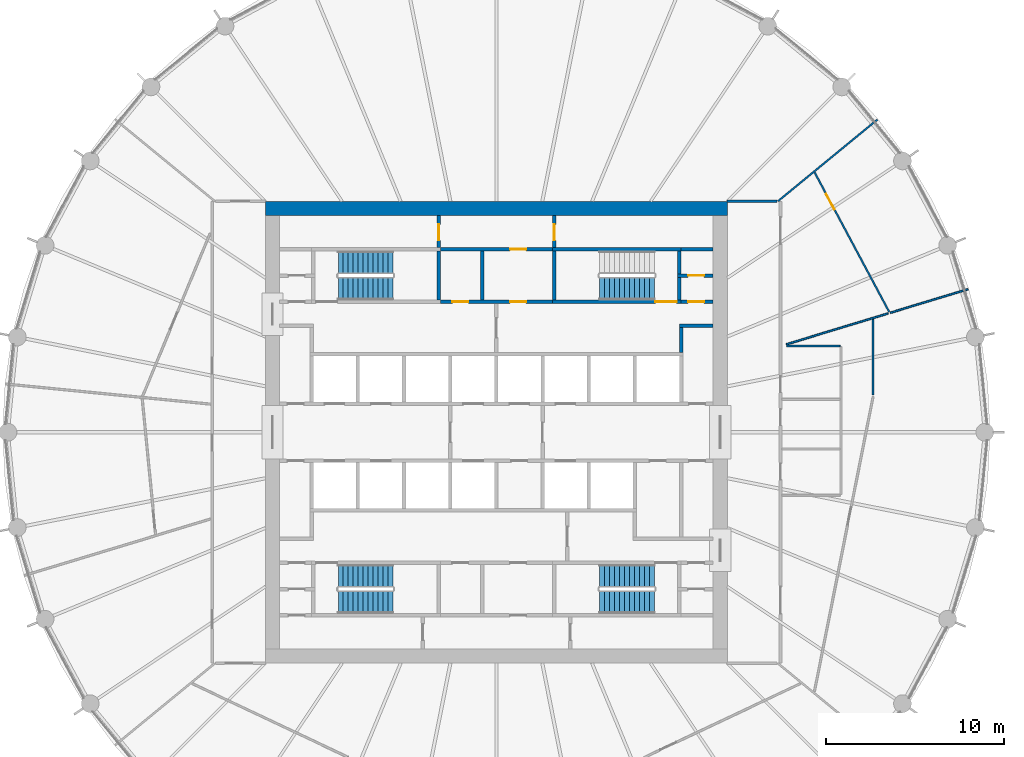
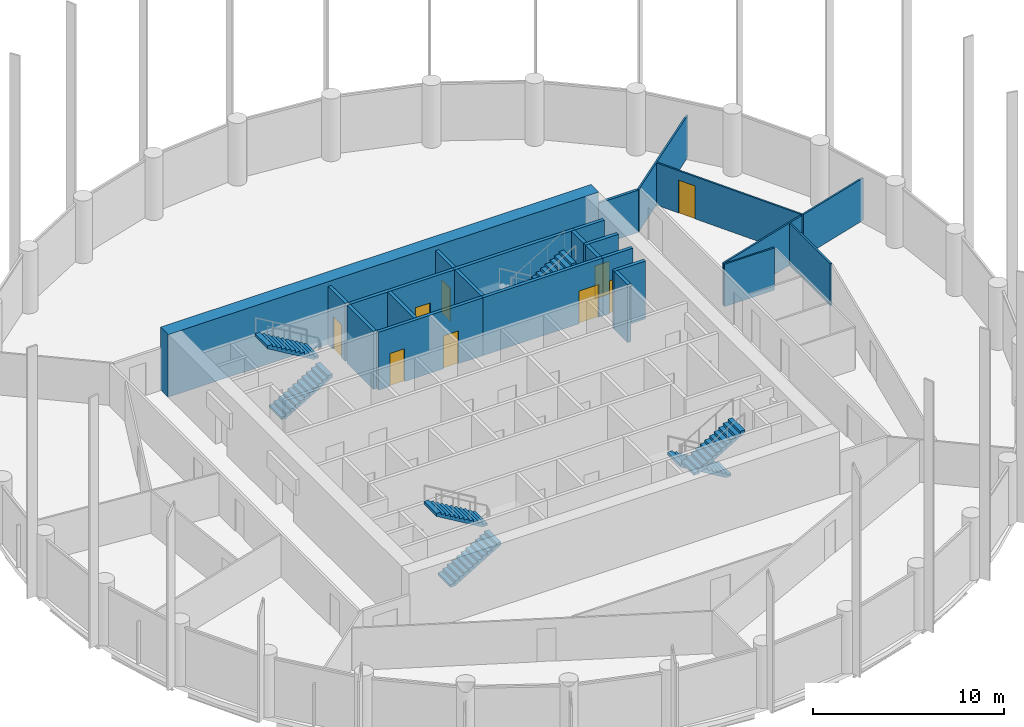
# One storey, part 7 of 9: 24 walls, 9 doors, 7 stair flights, 9 openings, 4 elements without a shape of their own.
"""IFC4 building model written with IfcOpenShell, lengths in metres."""

from ifc_helpers import new_model, si_unit, direction, frame, frame_2d, origin, place, context, subcontext, project, spatial, polyline, rectangle, outline, extrude, material, layer, layer_set, type_object, element, fill, aggregate, save


model = new_model("IFC4")

# Units and contexts
model_context = context("Model", 3, precision=1e-05, world=origin(), true_north=direction((0.0, 1.0)))
body_context = subcontext(model_context, "Body", "Model", "MODEL_VIEW")
ifc_project = project(units=[si_unit("LENGTHUNIT", "METRE"), si_unit("AREAUNIT", "SQUARE_METRE"), si_unit("VOLUMEUNIT", "CUBIC_METRE"), si_unit("PLANEANGLEUNIT", "RADIAN"), si_unit("MASSUNIT", "GRAM", prefix="KILO")], contexts=[model_context])

# Site, building, storey
site_placement = place(None, origin())
site = spatial("IfcSite", under=ifc_project, at=site_placement, CompositionType="ELEMENT")
building_placement = place(site_placement, origin())
building = spatial("IfcBuilding", under=site, at=building_placement, Name="Corvane Civic Tower", CompositionType="ELEMENT")
storey_placement = place(building_placement, frame((0.0, 0.0, 217.5)))
storey = spatial("IfcBuildingStorey", under=building, at=storey_placement, Name="L51", CompositionType="ELEMENT", Elevation=217.5)

# Wall
ifc_material_1 = material(Name="Concrete C50/60", Category="concrete")
ifc_layer_1 = layer(ifc_material_1, 0.800048828125)
ifc_layer_set_1 = layer_set([ifc_layer_1], Name="Concrete C50/60")
wall_type_1 = type_object("IfcWallType", Name="CORE WALL 800 C50/60", PredefinedType="SHEAR", material=ifc_layer_set_1)
wall_1_placement = place(storey_placement, frame((-13.0, 12.60009765625, 0.0), z_axis=(0.0, 0.0, 1.0), x_axis=(1.0, 0.0, 0.0)))
element("IfcWall", 1, at=wall_1_placement, inside=storey, type_object=wall_type_1, Name="W-L51-core-N", PredefinedType="SHEAR", context=body_context, shape_type="SweptSolid", body=[
    extrude(rectangle(XDim=26.0, YDim=0.800048828125, at=frame_2d((13.0, 0.0))), origin(), (0.0, 0.0, 1.0), 4.0),
])

# Wall, openings, doors
ifc_material_2 = material(Name="Concrete C30/37", Category="concrete")
ifc_layer_2 = layer(ifc_material_2, 0.199951171875)
ifc_layer_set_2 = layer_set([ifc_layer_2], Name="Concrete C30/37")
wall_type_2 = type_object("IfcWallType", Name="CR-WALL-200", PredefinedType="PARTITIONING", material=ifc_layer_set_2)
wall_2_placement = place(storey_placement, frame((-3.14990234375, 7.35009765625, 0.0), z_axis=(0.0, 0.0, 1.0), x_axis=(1.0, 0.0, 0.0)))
wall_2 = element("IfcWall", 2, at=wall_2_placement, inside=storey, type_object=wall_type_2, Name="L51 partition wall", PredefinedType="PARTITIONING", context=body_context, shape_type="SweptSolid", body=[
    extrude(rectangle(XDim=6.2998046875, YDim=0.199951171875, at=frame_2d((3.14990234375, 0.0))), origin(), (0.0, 0.0, 1.0), 3.699951171875),
])
opening_1_placement = place(wall_2_placement, frame((0.675048828125, 0.0, 0.0)))
opening_1 = element("IfcOpeningElement", 3, at=opening_1_placement, cuts=wall_2, Name="Opening L51.C07", PredefinedType="OPENING", context=body_context, shape_type="SweptSolid", body=[
    extrude(rectangle(XDim=0.89990234375, YDim=2.10009765625, at=frame_2d((0.449951171875, 1.050048828125))), frame((0.0, 0.10986328125, 0.0), z_axis=(0.0, -1.0, 0.0), x_axis=(1.0, 0.0, 0.0)), (0.0, 0.0, 1.0), 0.219970703125),
])
opening_2_placement = place(wall_2_placement, frame((3.925048828125, 0.0, 0.0)))
opening_2 = element("IfcOpeningElement", 4, at=opening_2_placement, cuts=wall_2, Name="Opening L51.C08", PredefinedType="OPENING", context=body_context, shape_type="SweptSolid", body=[
    extrude(rectangle(XDim=0.89990234375, YDim=2.10009765625, at=frame_2d((0.449951171875, 1.050048828125))), frame((0.0, 0.10986328125, 0.0), z_axis=(0.0, -1.0, 0.0), x_axis=(1.0, 0.0, 0.0)), (0.0, 0.0, 1.0), 0.219970703125),
])
ifc_material_3 = material(Name="Steel fire door leaf", Category="steel")
door_type_1 = type_object("IfcDoorType", Name="CR-DOOR-900", OperationType="SINGLE_SWING_LEFT", PredefinedType="DOOR", material=ifc_material_3)
door_1_placement = place(opening_1_placement, origin())
door_1 = element("IfcDoor", 5, at=door_1_placement, inside=storey, type_object=door_type_1, Name="L51 door", OperationType="SINGLE_SWING_LEFT", OverallHeight=2.10009765625, OverallWidth=0.89990234375, PredefinedType="DOOR", context=body_context, shape_type="SweptSolid", body=[
    extrude(rectangle(XDim=0.89990234375, YDim=2.10009765625, at=frame_2d((0.449951171875, 1.050048828125))), frame((0.0, 0.02490234375, 0.0), z_axis=(0.0, -1.0, 0.0), x_axis=(1.0, 0.0, 0.0)), (0.0, 0.0, 1.0), 0.050048828125),
])
fill(opening_1, door_1)
door_2_placement = place(opening_2_placement, origin())
door_2 = element("IfcDoor", 6, at=door_2_placement, inside=storey, type_object=door_type_1, Name="L51 door", OperationType="SINGLE_SWING_LEFT", OverallHeight=2.10009765625, OverallWidth=0.89990234375, PredefinedType="DOOR", context=body_context, shape_type="SweptSolid", body=[
    extrude(rectangle(XDim=0.89990234375, YDim=2.10009765625, at=frame_2d((0.449951171875, 1.050048828125))), frame((0.0, 0.02490234375, 0.0), z_axis=(0.0, -1.0, 0.0), x_axis=(1.0, 0.0, 0.0)), (0.0, 0.0, 1.0), 0.050048828125),
])
fill(opening_2, door_2)

# Wall, opening, door
wall_3_placement = place(storey_placement, frame((10.39990234375, 7.35009765625, 0.0), z_axis=(0.0, 0.0, 1.0), x_axis=(1.0, 0.0, 0.0)))
wall_3 = element("IfcWall", 7, at=wall_3_placement, inside=storey, type_object=wall_type_2, Name="L51 core partition wall", PredefinedType="PARTITIONING", context=body_context, shape_type="SweptSolid", body=[
    extrude(rectangle(XDim=1.800048828125, YDim=0.199951171875, at=frame_2d((0.89990234375, 0.0))), origin(), (0.0, 0.0, 1.0), 3.699951171875),
])
opening_3_placement = place(wall_3_placement, frame((0.39990234375, 0.0, 0.0)))
opening_3 = element("IfcOpeningElement", 8, at=opening_3_placement, cuts=wall_3, Name="Opening L51.C22", PredefinedType="OPENING", context=body_context, shape_type="SweptSolid", body=[
    extrude(rectangle(XDim=0.89990234375, YDim=2.10009765625, at=frame_2d((0.449951171875, 1.050048828125))), frame((0.0, 0.10986328125, 0.0), z_axis=(0.0, -1.0, 0.0), x_axis=(1.0, 0.0, 0.0)), (0.0, 0.0, 1.0), 0.219970703125),
])
door_3_placement = place(opening_3_placement, origin())
door_3 = element("IfcDoor", 9, at=door_3_placement, inside=storey, type_object=door_type_1, Name="L51 door", OperationType="SINGLE_SWING_LEFT", OverallHeight=2.10009765625, OverallWidth=0.89990234375, PredefinedType="DOOR", context=body_context, shape_type="SweptSolid", body=[
    extrude(rectangle(XDim=0.89990234375, YDim=2.10009765625, at=frame_2d((0.449951171875, 1.050048828125))), frame((0.0, 0.02490234375, 0.0), z_axis=(0.0, -1.0, 0.0), x_axis=(1.0, 0.0, 0.0)), (0.0, 0.0, 1.0), 0.050048828125),
])
fill(opening_3, door_3)

wall_4_placement = place(storey_placement, frame((10.199951171875, 8.824951171875, 0.0), z_axis=(0.0, 0.0, 1.0), x_axis=(1.0, 0.0, 0.0)))
wall_4 = element("IfcWall", 10, at=wall_4_placement, inside=storey, type_object=wall_type_2, Name="L51 partition wall", PredefinedType="PARTITIONING", context=body_context, shape_type="SweptSolid", body=[
    extrude(rectangle(XDim=2.0, YDim=0.199951171875, at=frame_2d((1.0, 0.0))), origin(), (0.0, 0.0, 1.0), 3.699951171875),
])
opening_4_placement = place(wall_4_placement, frame((0.60009765625, 0.0, 0.0)))
opening_4 = element("IfcOpeningElement", 11, at=opening_4_placement, cuts=wall_4, Name="Opening L51.C23", PredefinedType="OPENING", context=body_context, shape_type="SweptSolid", body=[
    extrude(rectangle(XDim=0.89990234375, YDim=2.10009765625, at=frame_2d((0.449951171875, 1.050048828125))), frame((0.0, 0.10986328125, 0.0), z_axis=(0.0, -1.0, 0.0), x_axis=(1.0, 0.0, 0.0)), (0.0, 0.0, 1.0), 0.219970703125),
])
door_4_placement = place(opening_4_placement, origin())
door_4 = element("IfcDoor", 12, at=door_4_placement, inside=storey, type_object=door_type_1, Name="L51 door", OperationType="SINGLE_SWING_LEFT", OverallHeight=2.10009765625, OverallWidth=0.89990234375, PredefinedType="DOOR", context=body_context, shape_type="SweptSolid", body=[
    extrude(rectangle(XDim=0.89990234375, YDim=2.10009765625, at=frame_2d((0.449951171875, 1.050048828125))), frame((0.0, 0.02490234375, 0.0), z_axis=(0.0, -1.0, 0.0), x_axis=(1.0, 0.0, 0.0)), (0.0, 0.0, 1.0), 0.050048828125),
])
fill(opening_4, door_4)

wall_5_placement = place(storey_placement, frame((-3.14990234375, 10.300048828125, 0.0), z_axis=(0.0, 0.0, 1.0), x_axis=(1.0, 0.0, 0.0)))
wall_5 = element("IfcWall", 13, at=wall_5_placement, inside=storey, type_object=wall_type_2, Name="L51 partition wall", PredefinedType="PARTITIONING", context=body_context, shape_type="SweptSolid", body=[
    extrude(rectangle(XDim=6.2998046875, YDim=0.199951171875, at=frame_2d((3.14990234375, 0.0))), origin(), (0.0, 0.0, 1.0), 3.699951171875),
])
opening_5_placement = place(wall_5_placement, frame((3.925048828125, 0.0, 0.0)))
opening_5 = element("IfcOpeningElement", 14, at=opening_5_placement, cuts=wall_5, Name="Opening L51.C12", PredefinedType="OPENING", context=body_context, shape_type="SweptSolid", body=[
    extrude(rectangle(XDim=0.89990234375, YDim=2.10009765625, at=frame_2d((0.449951171875, 1.050048828125))), frame((0.0, 0.10986328125, 0.0), z_axis=(0.0, -1.0, 0.0), x_axis=(1.0, 0.0, 0.0)), (0.0, 0.0, 1.0), 0.219970703125),
])
door_5_placement = place(opening_5_placement, origin())
door_5 = element("IfcDoor", 15, at=door_5_placement, inside=storey, type_object=door_type_1, Name="L51 door", OperationType="SINGLE_SWING_LEFT", OverallHeight=2.10009765625, OverallWidth=0.89990234375, PredefinedType="DOOR", context=body_context, shape_type="SweptSolid", body=[
    extrude(rectangle(XDim=0.89990234375, YDim=2.10009765625, at=frame_2d((0.449951171875, 1.050048828125))), frame((0.0, 0.02490234375, 0.0), z_axis=(0.0, -1.0, 0.0), x_axis=(1.0, 0.0, 0.0)), (0.0, 0.0, 1.0), 0.050048828125),
])
fill(opening_5, door_5)

wall_6_placement = place(storey_placement, frame((-3.25, 10.39990234375, 0.0), z_axis=(0.0, 0.0, 1.0), x_axis=(0.0, 1.0, 0.0)))
wall_6 = element("IfcWall", 16, at=wall_6_placement, inside=storey, type_object=wall_type_2, Name="L51 partition wall", PredefinedType="PARTITIONING", context=body_context, shape_type="SweptSolid", body=[
    extrude(rectangle(XDim=1.800048828125, YDim=0.199951171875, at=frame_2d((0.89990234375, 0.0))), origin(), (0.0, 0.0, 1.0), 3.699951171875),
])
opening_6_placement = place(wall_6_placement, frame((0.39990234375, 0.0, 0.0)))
opening_6 = element("IfcOpeningElement", 17, at=opening_6_placement, cuts=wall_6, Name="Opening L51.C11", PredefinedType="OPENING", context=body_context, shape_type="SweptSolid", body=[
    extrude(rectangle(XDim=0.89990234375, YDim=2.10009765625, at=frame_2d((0.449951171875, 1.050048828125))), frame((0.0, 0.10986328125, 0.0), z_axis=(0.0, -1.0, 0.0), x_axis=(1.0, 0.0, 0.0)), (0.0, 0.0, 1.0), 0.219970703125),
])
door_6_placement = place(opening_6_placement, origin())
door_6 = element("IfcDoor", 18, at=door_6_placement, inside=storey, type_object=door_type_1, Name="L51 door", OperationType="SINGLE_SWING_LEFT", OverallHeight=2.10009765625, OverallWidth=0.89990234375, PredefinedType="DOOR", context=body_context, shape_type="SweptSolid", body=[
    extrude(rectangle(XDim=0.89990234375, YDim=2.10009765625, at=frame_2d((0.449951171875, 1.050048828125))), frame((0.0, 0.02490234375, 0.0), z_axis=(0.0, -1.0, 0.0), x_axis=(1.0, 0.0, 0.0)), (0.0, 0.0, 1.0), 0.050048828125),
])
fill(opening_6, door_6)

wall_7_placement = place(storey_placement, frame((3.25, 10.39990234375, 0.0), z_axis=(0.0, 0.0, 1.0), x_axis=(0.0, 1.0, 0.0)))
wall_7 = element("IfcWall", 19, at=wall_7_placement, inside=storey, type_object=wall_type_2, Name="L51 partition wall", PredefinedType="PARTITIONING", context=body_context, shape_type="SweptSolid", body=[
    extrude(rectangle(XDim=1.800048828125, YDim=0.199951171875, at=frame_2d((0.89990234375, 0.0))), origin(), (0.0, 0.0, 1.0), 3.699951171875),
])
opening_7_placement = place(wall_7_placement, frame((0.39990234375, 0.0, 0.0)))
opening_7 = element("IfcOpeningElement", 20, at=opening_7_placement, cuts=wall_7, Name="Opening L51.C13", PredefinedType="OPENING", context=body_context, shape_type="SweptSolid", body=[
    extrude(rectangle(XDim=0.89990234375, YDim=2.10009765625, at=frame_2d((0.449951171875, 1.050048828125))), frame((0.0, 0.10986328125, 0.0), z_axis=(0.0, -1.0, 0.0), x_axis=(1.0, 0.0, 0.0)), (0.0, 0.0, 1.0), 0.219970703125),
])
door_7_placement = place(opening_7_placement, origin())
door_7 = element("IfcDoor", 21, at=door_7_placement, inside=storey, type_object=door_type_1, Name="L51 door", OperationType="SINGLE_SWING_LEFT", OverallHeight=2.10009765625, OverallWidth=0.89990234375, PredefinedType="DOOR", context=body_context, shape_type="SweptSolid", body=[
    extrude(rectangle(XDim=0.89990234375, YDim=2.10009765625, at=frame_2d((0.449951171875, 1.050048828125))), frame((0.0, 0.02490234375, 0.0), z_axis=(0.0, -1.0, 0.0), x_axis=(1.0, 0.0, 0.0)), (0.0, 0.0, 1.0), 0.050048828125),
])
fill(opening_7, door_7)

# Walls
wall_8_placement = place(storey_placement, origin())
element("IfcWall", 22, at=wall_8_placement, inside=storey, type_object=wall_type_2, Name="L51 core partition wall", PredefinedType="PARTITIONING", context=body_context, shape_type="SweptSolid", body=[
    extrude(outline(polyline([(12.199951171875, 5.89990234375), (10.300048828125, 5.89990234375), (10.300048828125, 6.10009765625), (12.199951171875, 6.10009765625), (12.199951171875, 5.89990234375)])), origin(), (0.0, 0.0, 1.0), 3.699951171875),
])
wall_9_placement = place(storey_placement, origin())
element("IfcWall", 23, at=wall_9_placement, inside=storey, type_object=wall_type_2, Name="L51 core partition wall", PredefinedType="PARTITIONING", context=body_context, shape_type="SweptSolid", body=[
    extrude(outline(polyline([(10.5, 4.5), (10.300048828125, 4.5), (10.300048828125, 5.89990234375), (10.5, 5.89990234375), (10.5, 4.5)])), origin(), (0.0, 0.0, 1.0), 3.699951171875),
])
wall_10_placement = place(storey_placement, origin())
element("IfcWall", 24, at=wall_10_placement, inside=storey, type_object=wall_type_2, Name="L51 core partition wall", PredefinedType="PARTITIONING", context=body_context, shape_type="SweptSolid", body=[
    extrude(outline(polyline([(-0.699951171875, 7.449951171875), (-0.89990234375, 7.449951171875), (-0.89990234375, 10.199951171875), (-0.699951171875, 10.199951171875), (-0.699951171875, 7.449951171875)])), origin(), (0.0, 0.0, 1.0), 3.699951171875),
])
wall_11_placement = place(storey_placement, origin())
element("IfcWall", 25, at=wall_11_placement, inside=storey, type_object=wall_type_2, Name="L51 core partition wall", PredefinedType="PARTITIONING", context=body_context, shape_type="SweptSolid", body=[
    extrude(outline(polyline([(10.39990234375, 10.199951171875), (10.39990234375, 10.39990234375), (12.199951171875, 10.39990234375), (12.199951171875, 10.199951171875), (10.39990234375, 10.199951171875)])), origin(), (0.0, 0.0, 1.0), 3.699951171875),
])
ifc_material_4 = material(Name="Plasterboard")
ifc_layer_3 = layer(ifc_material_4, 0.10009765625)
ifc_layer_set_3 = layer_set([ifc_layer_3], Name="Plasterboard")
wall_type_3 = type_object("IfcWallType", Name="Partition 100 plasterboard on studs", PredefinedType="PARTITIONING", material=ifc_layer_set_3)
wall_12_placement = place(storey_placement, frame((21.199951171875, 2.103515625, 0.0), z_axis=(0.0, 0.0, 1.0), x_axis=(0.0, 1.0, 0.0)))
element("IfcWall", 26, at=wall_12_placement, inside=storey, type_object=wall_type_3, Name="Partition L51.020", PredefinedType="PARTITIONING", context=body_context, shape_type="SweptSolid", body=[
    extrude(rectangle(XDim=4.260009765625, YDim=0.10009765625, at=frame_2d((2.1298828125, 0.0))), origin(), (0.0, 0.0, 1.0), 2.699951171875),
])
wall_13_placement = place(storey_placement, frame((16.337158203125, 4.853515625, 0.0), z_axis=(0.0, 0.0, 1.0), x_axis=(1.0, 0.0, 0.0)))
element("IfcWall", 27, at=wall_13_placement, inside=storey, type_object=wall_type_3, Name="Partition L51.021", PredefinedType="PARTITIONING", context=body_context, shape_type="SweptSolid", body=[
    extrude(rectangle(XDim=3.012939453125, YDim=0.10009765625, at=frame_2d((1.50634765625, 0.0))), origin(), (0.0, 0.0, 1.0), 2.699951171875),
])
wall_14_placement = place(storey_placement, frame((16.325927734375, 4.952392578125, 0.0), z_axis=(0.0, 0.0, 1.0), x_axis=(0.956943355417, 0.2902747225, 0.0)))
element("IfcWall", 28, at=wall_14_placement, inside=storey, type_object=wall_type_3, Name="Partition L51.022", PredefinedType="PARTITIONING", context=body_context, shape_type="SweptSolid", body=[
    extrude(rectangle(XDim=5.981689453125, YDim=0.10009765625, at=frame_2d((2.99072265625, 0.0))), origin(), (0.0, 0.0, 1.0), 2.699951171875),
])
wall_15_placement = place(storey_placement, frame((22.177490234375, 6.7275390625, 0.0), z_axis=(0.0, 0.0, 1.0), x_axis=(0.95694941846, 0.290254733828, 0.0)))
element("IfcWall", 29, at=wall_15_placement, inside=storey, type_object=wall_type_3, Name="Partition L51.023", PredefinedType="PARTITIONING", context=body_context, shape_type="SweptSolid", body=[
    extrude(rectangle(XDim=4.574951171875, YDim=0.10009765625, at=frame_2d((2.28759765625, 0.0))), origin(), (0.0, 0.0, 1.0), 2.699951171875),
])

# Wall, opening, door
wall_16_placement = place(storey_placement, frame((17.919921875, 14.629150390625, 0.0), z_axis=(0.0, 0.0, 1.0), x_axis=(0.471383151243, -0.881928525859, 0.0)))
wall_16 = element("IfcWall", 30, at=wall_16_placement, inside=storey, type_object=wall_type_3, Name="Partition L51.024", PredefinedType="PARTITIONING", context=body_context, shape_type="SweptSolid", body=[
    extrude(rectangle(XDim=8.90869140625, YDim=0.10009765625, at=frame_2d((4.454345703125, 0.0))), origin(), (0.0, 0.0, 1.0), 2.699951171875),
])
opening_8_placement = place(wall_16_placement, frame((1.368408203125, 0.0, 0.0)))
opening_8 = element("IfcOpeningElement", 31, at=opening_8_placement, cuts=wall_16, Name="Opening L51.006", PredefinedType="OPENING", context=body_context, shape_type="SweptSolid", body=[
    extrude(rectangle(XDim=1.0, YDim=2.10009765625, at=frame_2d((0.5, 1.050048828125))), frame((0.0, 0.06005859375, 0.0), z_axis=(0.0, -1.0, 0.0), x_axis=(1.0, 0.0, 0.0)), (0.0, 0.0, 1.0), 0.1201171875),
])
ifc_material_5 = material(Name="Timber", Category="wood")
door_type_2 = type_object("IfcDoorType", Name="Single door 1000", OperationType="NOTDEFINED", PredefinedType="DOOR", material=ifc_material_5)
door_8_placement = place(opening_8_placement, origin())
door_8 = element("IfcDoor", 32, at=door_8_placement, inside=storey, type_object=door_type_2, Name="Door L51.006", OperationType="SINGLE_SWING_RIGHT", OverallHeight=2.10009765625, OverallWidth=1.0, PredefinedType="DOOR", context=body_context, shape_type="SweptSolid", body=[
    extrude(rectangle(XDim=1.0, YDim=2.10009765625, at=frame_2d((0.5, 1.050048828125))), frame((0.0, 0.02490234375, 0.0), z_axis=(0.0, -1.0, 0.0), x_axis=(1.0, 0.0, 0.0)), (0.0, 0.0, 1.0), 0.050048828125),
])
fill(opening_8, door_8)

# Wall
wall_17_placement = place(storey_placement, frame((15.8544921875, 13.01123046875, 0.0), z_axis=(0.0, 0.0, 1.0), x_axis=(0.772997895748, 0.634408585352, 0.0)))
element("IfcWall", 33, at=wall_17_placement, inside=storey, type_object=wall_type_3, Name="Partition L51.028", PredefinedType="PARTITIONING", context=body_context, shape_type="SweptSolid", body=[
    extrude(rectangle(XDim=7.240234375, YDim=0.10009765625, at=frame_2d((3.6201171875, 0.0))), origin(), (0.0, 0.0, 1.0), 2.699951171875),
])

# Wall, opening, door
ifc_material_6 = material(Name="Concrete C50/60", Category="concrete")
ifc_layer_4 = layer(ifc_material_6, 0.199951171875)
ifc_layer_set_4 = layer_set([ifc_layer_4], Name="Concrete C50/60")
wall_type_4 = type_object("IfcWallType", Name="ST-WALL-200", PredefinedType="SHEAR", material=ifc_layer_set_4)
wall_18_placement = place(storey_placement, frame((3.14990234375, 7.35009765625, 0.0), z_axis=(0.0, 0.0, 1.0), x_axis=(1.0, 0.0, 0.0)))
wall_18 = element("IfcWall", 34, at=wall_18_placement, inside=storey, type_object=wall_type_4, Name="L51 stair enclosure wall", PredefinedType="SHEAR", context=body_context, shape_type="SweptSolid", body=[
    extrude(rectangle(XDim=7.25, YDim=0.199951171875, at=frame_2d((3.625, 0.0))), origin(), (0.0, 0.0, 1.0), 3.699951171875),
])
opening_9_placement = place(wall_18_placement, frame((5.800048828125, 0.0, 0.0)))
opening_9 = element("IfcOpeningElement", 35, at=opening_9_placement, cuts=wall_18, Name="Opening L51.C26", PredefinedType="OPENING", context=body_context, shape_type="SweptSolid", body=[
    extrude(rectangle(XDim=1.199951171875, YDim=2.10009765625, at=frame_2d((0.60009765625, 1.050048828125))), frame((0.0, 0.10986328125, 0.0), z_axis=(0.0, -1.0, 0.0), x_axis=(1.0, 0.0, 0.0)), (0.0, 0.0, 1.0), 0.219970703125),
])
ifc_material_7 = material(Name="Steel fire door leaf", Category="steel")
door_type_3 = type_object("IfcDoorType", Name="ST-DOOR-1200", OperationType="SINGLE_SWING_RIGHT", PredefinedType="DOOR", material=ifc_material_7)
door_9_placement = place(opening_9_placement, origin())
door_9 = element("IfcDoor", 36, at=door_9_placement, inside=storey, type_object=door_type_3, Name="L51 stair door", OperationType="SINGLE_SWING_RIGHT", OverallHeight=2.10009765625, OverallWidth=1.199951171875, PredefinedType="DOOR", context=body_context, shape_type="SweptSolid", body=[
    extrude(rectangle(XDim=1.199951171875, YDim=2.10009765625, at=frame_2d((0.60009765625, 1.050048828125))), frame((0.0, 0.02490234375, 0.0), z_axis=(0.0, -1.0, 0.0), x_axis=(1.0, 0.0, 0.0)), (0.0, 0.0, 1.0), 0.050048828125),
])
fill(opening_9, door_9)

# Walls
wall_19_placement = place(storey_placement, origin())
element("IfcWall", 37, at=wall_19_placement, inside=storey, type_object=wall_type_4, Name="L51 stair enclosure wall", PredefinedType="SHEAR", context=body_context, shape_type="SweptSolid", body=[
    extrude(outline(polyline([(10.39990234375, 10.199951171875), (3.14990234375, 10.199951171875), (3.14990234375, 10.39990234375), (10.39990234375, 10.39990234375), (10.39990234375, 10.199951171875)])), origin(), (0.0, 0.0, 1.0), 3.699951171875),
])
wall_20_placement = place(storey_placement, origin())
element("IfcWall", 38, at=wall_20_placement, inside=storey, type_object=wall_type_4, Name="L51 stair enclosure wall", PredefinedType="SHEAR", context=body_context, shape_type="SweptSolid", body=[
    extrude(outline(polyline([(-3.14990234375, 7.449951171875), (-3.35009765625, 7.449951171875), (-3.35009765625, 10.199951171875), (-3.14990234375, 10.199951171875), (-3.14990234375, 7.449951171875)])), origin(), (0.0, 0.0, 1.0), 3.699951171875),
])
wall_21_placement = place(storey_placement, origin())
element("IfcWall", 39, at=wall_21_placement, inside=storey, type_object=wall_type_4, Name="L51 stair enclosure wall", PredefinedType="SHEAR", context=body_context, shape_type="SweptSolid", body=[
    extrude(outline(polyline([(3.35009765625, 7.449951171875), (3.14990234375, 7.449951171875), (3.14990234375, 10.199951171875), (3.35009765625, 10.199951171875), (3.35009765625, 7.449951171875)])), origin(), (0.0, 0.0, 1.0), 3.699951171875),
])
wall_22_placement = place(storey_placement, origin())
element("IfcWall", 40, at=wall_22_placement, inside=storey, type_object=wall_type_4, Name="L51 stair enclosure wall", PredefinedType="SHEAR", context=body_context, shape_type="SweptSolid", body=[
    extrude(outline(polyline([(10.39990234375, 8.72509765625), (10.39990234375, 7.449951171875), (10.199951171875, 7.449951171875), (10.199951171875, 8.72509765625), (10.39990234375, 8.72509765625)])), origin(), (0.0, 0.0, 1.0), 3.699951171875),
])
wall_23_placement = place(storey_placement, origin())
element("IfcWall", 41, at=wall_23_placement, inside=storey, type_object=wall_type_4, Name="L51 stair enclosure wall", PredefinedType="SHEAR", context=body_context, shape_type="SweptSolid", body=[
    extrude(outline(polyline([(10.39990234375, 8.925048828125), (10.199951171875, 8.925048828125), (10.199951171875, 10.199951171875), (10.39990234375, 10.199951171875), (10.39990234375, 8.925048828125)])), origin(), (0.0, 0.0, 1.0), 3.699951171875),
])
ifc_material_8 = material(Name="Plasterboard")
ifc_layer_5 = layer(ifc_material_8, 0.14990234375)
ifc_layer_set_5 = layer_set([ifc_layer_5], Name="Plasterboard")
wall_type_5 = type_object("IfcWallType", Name="Tenancy wall 150 EI 60", PredefinedType="PARTITIONING", material=ifc_layer_set_5)
wall_24_placement = place(storey_placement, frame((12.989990234375, 13.0, 0.0), z_axis=(0.0, 0.0, 1.0), x_axis=(1.0, 0.0, 0.0)))
element("IfcWall", 42, at=wall_24_placement, inside=storey, type_object=wall_type_5, Name="Partition L51.026", PredefinedType="PARTITIONING", context=body_context, shape_type="SweptSolid", body=[
    extrude(rectangle(XDim=2.82373046875, YDim=0.14990234375, at=frame_2d((1.411865234375, 0.0))), origin(), (0.0, 0.0, 1.0), 2.699951171875),
])

# Stair, stair flight
ifc_material_9 = material(Name="Concrete C40/50", Category="concrete")
stair_type = type_object("IfcStairType", Name="ST-STAIR-HALFTURN", PredefinedType="HALF_TURN_STAIR", material=ifc_material_9)
stair_1_placement = place(storey_placement, origin())
stair_1 = element("IfcStair", 43, at=stair_1_placement, inside=storey, type_object=stair_type, Name="L51 Exit stair ST1", PredefinedType="HALF_TURN_STAIR")
ifc_material_10 = material(Name="Concrete C40/50", Category="concrete")
stair_flight_type = type_object("IfcStairFlightType", Name="ST-FLIGHT-RC", PredefinedType="STRAIGHT", material=ifc_material_10)
stair_flight_1_placement = place(storey_placement, frame((5.820068359375, 8.10009765625, 2.0), z_axis=(0.0, 0.0, 1.0), x_axis=(1.0, 0.0, 0.0)))
stair_flight_1 = element("IfcStairFlight", 44, at=stair_flight_1_placement, type_object=stair_flight_type, Name="ST1 flight 2", NumberOfRisers=12, NumberOfTreads=11, PredefinedType="STRAIGHT", RiserHeight=0.166666667, TreadLength=0.28, context=body_context, shape_type="SweptSolid", body=[
    extrude(outline(polyline([(0.0, 0.0), (0.0, 0.166748046875), (0.280029296875, 0.166748046875), (0.280029296875, 0.333251953125), (0.56005859375, 0.333251953125), (0.56005859375, 0.5), (0.840087890625, 0.5), (0.840087890625, 0.666748046875), (1.1201171875, 0.666748046875), (1.1201171875, 0.833251953125), (1.39990234375, 0.833251953125), (1.39990234375, 1.0), (1.679931640625, 1.0), (1.679931640625, 1.166748046875), (1.9599609375, 1.166748046875), (1.9599609375, 1.333251953125), (2.239990234375, 1.333251953125), (2.239990234375, 1.5), (2.52001953125, 1.5), (2.52001953125, 1.666748046875), (2.800048828125, 1.666748046875), (2.800048828125, 1.833251953125), (3.080078125, 1.833251953125), (3.080078125, 2.0), (3.080078125, 1.658935546875), (0.29296875, 0.0), (0.0, 0.0)])), frame((0.0, 0.64990234375, 0.0), z_axis=(0.0, -1.0, 0.0), x_axis=(1.0, 0.0, 0.0)), (0.0, 0.0, 1.0), 1.300048828125),
])
aggregate(stair_1, [stair_flight_1])

# Stair, stair flights
stair_2_placement = place(storey_placement, origin())
stair_2 = element("IfcStair", 45, at=stair_2_placement, inside=storey, type_object=stair_type, Name="L51 Exit stair ST2", PredefinedType="HALF_TURN_STAIR")
stair_flight_2_placement = place(storey_placement, frame((8.89990234375, -8.10009765625, 0.0), z_axis=(0.0, 0.0, 1.0), x_axis=(-1.0, 0.0, 0.0)))
stair_flight_2 = element("IfcStairFlight", 46, at=stair_flight_2_placement, type_object=stair_flight_type, Name="ST2 flight 1", NumberOfRisers=12, NumberOfTreads=11, PredefinedType="STRAIGHT", RiserHeight=0.166666667, TreadLength=0.28, context=body_context, shape_type="SweptSolid", body=[
    extrude(outline(polyline([(0.0, 0.0), (0.0, 0.166748046875), (0.280029296875, 0.166748046875), (0.280029296875, 0.333251953125), (0.56005859375, 0.333251953125), (0.56005859375, 0.5), (0.840087890625, 0.5), (0.840087890625, 0.666748046875), (1.1201171875, 0.666748046875), (1.1201171875, 0.833251953125), (1.39990234375, 0.833251953125), (1.39990234375, 1.0), (1.679931640625, 1.0), (1.679931640625, 1.166748046875), (1.9599609375, 1.166748046875), (1.9599609375, 1.333251953125), (2.239990234375, 1.333251953125), (2.239990234375, 1.5), (2.52001953125, 1.5), (2.52001953125, 1.666748046875), (2.800048828125, 1.666748046875), (2.800048828125, 1.833251953125), (3.080078125, 1.833251953125), (3.080078125, 2.0), (3.080078125, 1.658935546875), (0.29296875, 0.0), (0.0, 0.0)])), frame((0.0, 0.64990234375, 0.0), z_axis=(0.0, -1.0, 0.0), x_axis=(1.0, 0.0, 0.0)), (0.0, 0.0, 1.0), 1.300048828125),
])
stair_flight_3_placement = place(storey_placement, frame((5.820068359375, -9.550048828125, 2.0), z_axis=(0.0, 0.0, 1.0), x_axis=(1.0, 0.0, 0.0)))
stair_flight_3 = element("IfcStairFlight", 47, at=stair_flight_3_placement, type_object=stair_flight_type, Name="ST2 flight 2", NumberOfRisers=12, NumberOfTreads=11, PredefinedType="STRAIGHT", RiserHeight=0.166666667, TreadLength=0.28, context=body_context, shape_type="SweptSolid", body=[
    extrude(outline(polyline([(0.0, 0.0), (0.0, 0.166748046875), (0.280029296875, 0.166748046875), (0.280029296875, 0.333251953125), (0.56005859375, 0.333251953125), (0.56005859375, 0.5), (0.840087890625, 0.5), (0.840087890625, 0.666748046875), (1.1201171875, 0.666748046875), (1.1201171875, 0.833251953125), (1.39990234375, 0.833251953125), (1.39990234375, 1.0), (1.679931640625, 1.0), (1.679931640625, 1.166748046875), (1.9599609375, 1.166748046875), (1.9599609375, 1.333251953125), (2.239990234375, 1.333251953125), (2.239990234375, 1.5), (2.52001953125, 1.5), (2.52001953125, 1.666748046875), (2.800048828125, 1.666748046875), (2.800048828125, 1.833251953125), (3.080078125, 1.833251953125), (3.080078125, 2.0), (3.080078125, 1.658935546875), (0.29296875, 0.0), (0.0, 0.0)])), frame((0.0, 0.64990234375, 0.0), z_axis=(0.0, -1.0, 0.0), x_axis=(1.0, 0.0, 0.0)), (0.0, 0.0, 1.0), 1.300048828125),
])
aggregate(stair_2, [stair_flight_2, stair_flight_3])

stair_3_placement = place(storey_placement, origin())
stair_3 = element("IfcStair", 48, at=stair_3_placement, inside=storey, type_object=stair_type, Name="L51 Exit stair ST3", PredefinedType="HALF_TURN_STAIR")
stair_flight_4_placement = place(storey_placement, frame((-8.89990234375, -9.550048828125, 0.0), z_axis=(0.0, 0.0, 1.0), x_axis=(1.0, 0.0, 0.0)))
stair_flight_4 = element("IfcStairFlight", 49, at=stair_flight_4_placement, type_object=stair_flight_type, Name="ST3 flight 1", NumberOfRisers=12, NumberOfTreads=11, PredefinedType="STRAIGHT", RiserHeight=0.166666667, TreadLength=0.28, context=body_context, shape_type="SweptSolid", body=[
    extrude(outline(polyline([(0.0, 0.0), (0.0, 0.166748046875), (0.280029296875, 0.166748046875), (0.280029296875, 0.333251953125), (0.56005859375, 0.333251953125), (0.56005859375, 0.5), (0.840087890625, 0.5), (0.840087890625, 0.666748046875), (1.1201171875, 0.666748046875), (1.1201171875, 0.833251953125), (1.39990234375, 0.833251953125), (1.39990234375, 1.0), (1.679931640625, 1.0), (1.679931640625, 1.166748046875), (1.9599609375, 1.166748046875), (1.9599609375, 1.333251953125), (2.239990234375, 1.333251953125), (2.239990234375, 1.5), (2.52001953125, 1.5), (2.52001953125, 1.666748046875), (2.800048828125, 1.666748046875), (2.800048828125, 1.833251953125), (3.080078125, 1.833251953125), (3.080078125, 2.0), (3.080078125, 1.658935546875), (0.29296875, 0.0), (0.0, 0.0)])), frame((0.0, 0.64990234375, 0.0), z_axis=(0.0, -1.0, 0.0), x_axis=(1.0, 0.0, 0.0)), (0.0, 0.0, 1.0), 1.300048828125),
])
stair_flight_5_placement = place(storey_placement, frame((-5.820068359375, -8.10009765625, 2.0), z_axis=(0.0, 0.0, 1.0), x_axis=(-1.0, 0.0, 0.0)))
stair_flight_5 = element("IfcStairFlight", 50, at=stair_flight_5_placement, type_object=stair_flight_type, Name="ST3 flight 2", NumberOfRisers=12, NumberOfTreads=11, PredefinedType="STRAIGHT", RiserHeight=0.166666667, TreadLength=0.28, context=body_context, shape_type="SweptSolid", body=[
    extrude(outline(polyline([(0.0, 0.0), (0.0, 0.166748046875), (0.280029296875, 0.166748046875), (0.280029296875, 0.333251953125), (0.56005859375, 0.333251953125), (0.56005859375, 0.5), (0.840087890625, 0.5), (0.840087890625, 0.666748046875), (1.1201171875, 0.666748046875), (1.1201171875, 0.833251953125), (1.39990234375, 0.833251953125), (1.39990234375, 1.0), (1.679931640625, 1.0), (1.679931640625, 1.166748046875), (1.9599609375, 1.166748046875), (1.9599609375, 1.333251953125), (2.239990234375, 1.333251953125), (2.239990234375, 1.5), (2.52001953125, 1.5), (2.52001953125, 1.666748046875), (2.800048828125, 1.666748046875), (2.800048828125, 1.833251953125), (3.080078125, 1.833251953125), (3.080078125, 2.0), (3.080078125, 1.658935546875), (0.29296875, 0.0), (0.0, 0.0)])), frame((0.0, 0.64990234375, 0.0), z_axis=(0.0, -1.0, 0.0), x_axis=(1.0, 0.0, 0.0)), (0.0, 0.0, 1.0), 1.300048828125),
])
aggregate(stair_3, [stair_flight_4, stair_flight_5])

stair_4_placement = place(storey_placement, origin())
stair_4 = element("IfcStair", 51, at=stair_4_placement, inside=storey, type_object=stair_type, Name="L51 Exit stair ST4", PredefinedType="HALF_TURN_STAIR")
stair_flight_6_placement = place(storey_placement, frame((-8.89990234375, 8.10009765625, 0.0), z_axis=(0.0, 0.0, 1.0), x_axis=(1.0, 0.0, 0.0)))
stair_flight_6 = element("IfcStairFlight", 52, at=stair_flight_6_placement, type_object=stair_flight_type, Name="ST4 flight 1", NumberOfRisers=12, NumberOfTreads=11, PredefinedType="STRAIGHT", RiserHeight=0.166666667, TreadLength=0.28, context=body_context, shape_type="SweptSolid", body=[
    extrude(outline(polyline([(0.0, 0.0), (0.0, 0.166748046875), (0.280029296875, 0.166748046875), (0.280029296875, 0.333251953125), (0.56005859375, 0.333251953125), (0.56005859375, 0.5), (0.840087890625, 0.5), (0.840087890625, 0.666748046875), (1.1201171875, 0.666748046875), (1.1201171875, 0.833251953125), (1.39990234375, 0.833251953125), (1.39990234375, 1.0), (1.679931640625, 1.0), (1.679931640625, 1.166748046875), (1.9599609375, 1.166748046875), (1.9599609375, 1.333251953125), (2.239990234375, 1.333251953125), (2.239990234375, 1.5), (2.52001953125, 1.5), (2.52001953125, 1.666748046875), (2.800048828125, 1.666748046875), (2.800048828125, 1.833251953125), (3.080078125, 1.833251953125), (3.080078125, 2.0), (3.080078125, 1.658935546875), (0.29296875, 0.0), (0.0, 0.0)])), frame((0.0, 0.64990234375, 0.0), z_axis=(0.0, -1.0, 0.0), x_axis=(1.0, 0.0, 0.0)), (0.0, 0.0, 1.0), 1.300048828125),
])
stair_flight_7_placement = place(storey_placement, frame((-5.820068359375, 9.550048828125, 2.0), z_axis=(0.0, 0.0, 1.0), x_axis=(-1.0, 0.0, 0.0)))
stair_flight_7 = element("IfcStairFlight", 53, at=stair_flight_7_placement, type_object=stair_flight_type, Name="ST4 flight 2", NumberOfRisers=12, NumberOfTreads=11, PredefinedType="STRAIGHT", RiserHeight=0.166666667, TreadLength=0.28, context=body_context, shape_type="SweptSolid", body=[
    extrude(outline(polyline([(0.0, 0.0), (0.0, 0.166748046875), (0.280029296875, 0.166748046875), (0.280029296875, 0.333251953125), (0.56005859375, 0.333251953125), (0.56005859375, 0.5), (0.840087890625, 0.5), (0.840087890625, 0.666748046875), (1.1201171875, 0.666748046875), (1.1201171875, 0.833251953125), (1.39990234375, 0.833251953125), (1.39990234375, 1.0), (1.679931640625, 1.0), (1.679931640625, 1.166748046875), (1.9599609375, 1.166748046875), (1.9599609375, 1.333251953125), (2.239990234375, 1.333251953125), (2.239990234375, 1.5), (2.52001953125, 1.5), (2.52001953125, 1.666748046875), (2.800048828125, 1.666748046875), (2.800048828125, 1.833251953125), (3.080078125, 1.833251953125), (3.080078125, 2.0), (3.080078125, 1.658935546875), (0.29296875, 0.0), (0.0, 0.0)])), frame((0.0, 0.64990234375, 0.0), z_axis=(0.0, -1.0, 0.0), x_axis=(1.0, 0.0, 0.0)), (0.0, 0.0, 1.0), 1.300048828125),
])
aggregate(stair_4, [stair_flight_6, stair_flight_7])

save(model, "model.ifc")
